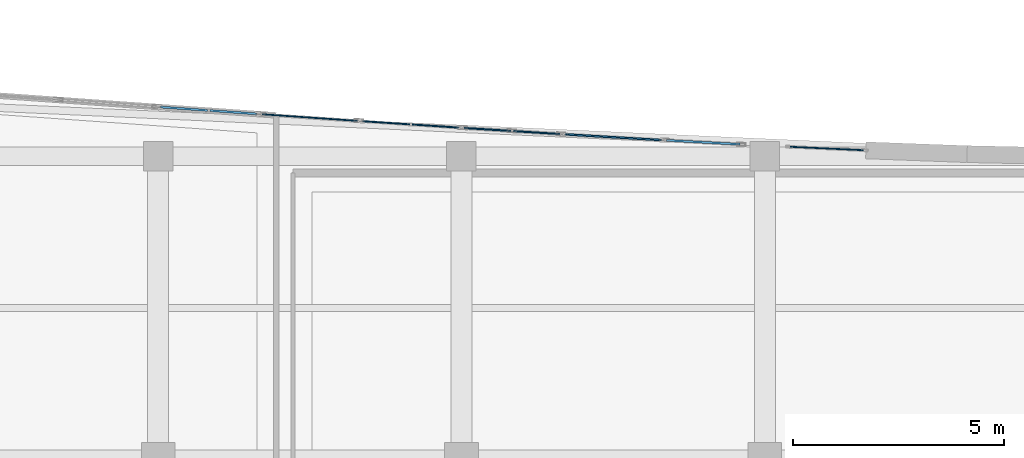
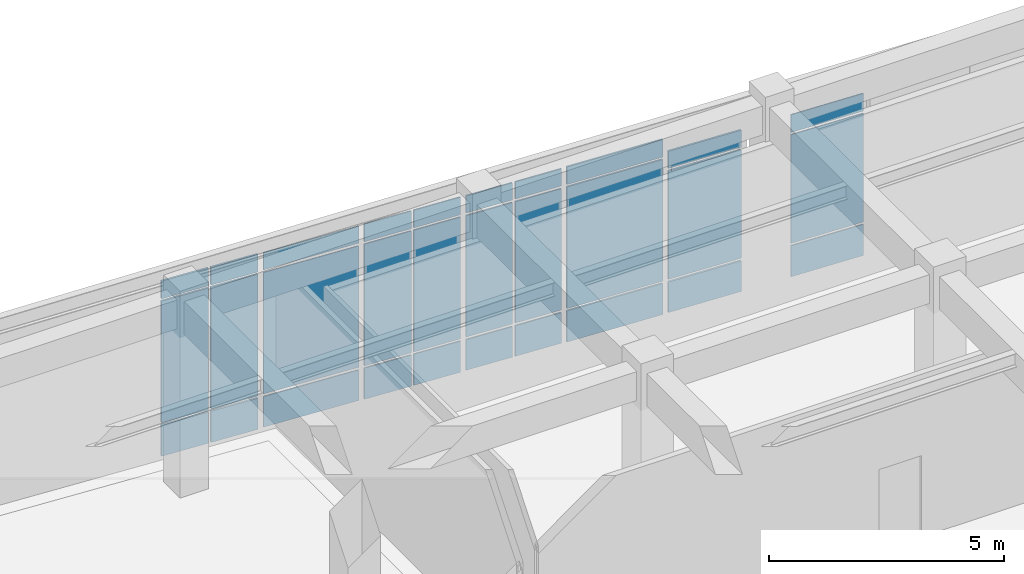
# One storey, part 69 of 102: 30 plates, 7 elements without a shape of their own.
"""IFC4 building model written with IfcOpenShell, lengths in metres."""

from ifc_helpers import new_model, si_unit, direction, frame, origin, origin_2d, place, context, subcontext, project, spatial, rectangle, extrude, material, layer, layer_set, type_object, element, aggregate, save


model = new_model("IFC4")

# Units and contexts
model_context = context("Model", 3, precision=1e-05, world=origin(), true_north=direction((0.0, 1.0)))
body_context = subcontext(model_context, "Body", "Model", "MODEL_VIEW")
ifc_project = project(units=[si_unit("LENGTHUNIT", "METRE"), si_unit("AREAUNIT", "SQUARE_METRE"), si_unit("VOLUMEUNIT", "CUBIC_METRE"), si_unit("PLANEANGLEUNIT", "RADIAN"), si_unit("MASSUNIT", "GRAM", prefix="KILO")], contexts=[model_context])

# Site, building, storey
site_placement = place(None, origin())
site = spatial("IfcSite", under=ifc_project, at=site_placement, CompositionType="ELEMENT")
building_placement = place(site_placement, origin())
building = spatial("IfcBuilding", under=site, at=building_placement, Name="Carrowvane Square Congress Hotel", CompositionType="ELEMENT")
storey_placement = place(building_placement, origin())
storey = spatial("IfcBuildingStorey", under=building, at=storey_placement, Name="L00", CompositionType="ELEMENT", Elevation=0.0)

# Curtain wall, plates
ifc_material_1 = material(Name="Anodised aluminium", Category="aluminium")
ifc_layer_1 = layer(ifc_material_1, 0.221923828125)
ifc_layer_set_1 = layer_set([ifc_layer_1], Name="Anodised aluminium")
curtain_wall_type_1 = type_object("IfcCurtainWallType", Name="CW-SYS-6", PredefinedType="NOTDEFINED", material=ifc_layer_set_1)
curtain_wall_1_placement = place(storey_placement, origin())
curtain_wall_1 = element("IfcCurtainWall", 1, at=curtain_wall_1_placement, inside=storey, type_object=curtain_wall_type_1, Name="L00 unitised curtain wall 45", PredefinedType="NOTDEFINED")
ifc_material_2 = material(Name="Double-glazed low-E glass", Category="glass")
ifc_layer_2 = layer(ifc_material_2, 0.028076171875)
ifc_layer_set_2 = layer_set([ifc_layer_2], Name="Double-glazed low-E glass")
plate_type_1 = type_object("IfcPlateType", Name="CW-PAN-1", PredefinedType="CURTAIN_PANEL", material=ifc_layer_set_2)
plate_1_placement = place(storey_placement, frame((144.800048828125, 114.318359375, 0.070068359375), z_axis=(0.0, 0.0, 1.0), x_axis=(0.997617619706, -0.068986120725, 0.0)))
plate_1 = element("IfcPlate", 2, at=plate_1_placement, type_object=plate_type_1, Name="CW-6 panel 1.1", PredefinedType="CURTAIN_PANEL", context=body_context, shape_type="SweptSolid", body=[
    extrude(rectangle(XDim=2.265625, YDim=0.028076171875, at=origin_2d()), origin(), (0.0, 0.0, 1.0), 0.794921875),
])
plate_2_placement = place(storey_placement, frame((144.800048828125, 114.318359375, 0.93505859375), z_axis=(0.0, 0.0, 1.0), x_axis=(0.997617619706, -0.068986120725, 0.0)))
plate_2 = element("IfcPlate", 3, at=plate_2_placement, type_object=plate_type_1, Name="CW-6 panel 1.2", PredefinedType="CURTAIN_PANEL", context=body_context, shape_type="SweptSolid", body=[
    extrude(rectangle(XDim=2.265625, YDim=0.028076171875, at=origin_2d()), origin(), (0.0, 0.0, 1.0), 3.155517578125),
])
plate_3_placement = place(storey_placement, frame((144.800048828125, 114.318359375, 4.16064453125), z_axis=(0.0, 0.0, 1.0), x_axis=(0.997617619706, -0.068986120725, 0.0)))
plate_3 = element("IfcPlate", 4, at=plate_3_placement, type_object=plate_type_1, Name="CW-6 panel 1.3", PredefinedType="CURTAIN_PANEL", context=body_context, shape_type="SweptSolid", body=[
    extrude(rectangle(XDim=2.265625, YDim=0.028076171875, at=origin_2d()), origin(), (0.0, 0.0, 1.0), 0.445068359375),
])
aggregate(curtain_wall_1, [plate_1, plate_2, plate_3])

ifc_material_3 = material(Name="Anodised aluminium", Category="aluminium")
ifc_layer_3 = layer(ifc_material_3, 0.18603515625)
ifc_layer_set_3 = layer_set([ifc_layer_3], Name="Anodised aluminium")
curtain_wall_type_2 = type_object("IfcCurtainWallType", Name="CW-SYS-3", PredefinedType="NOTDEFINED", material=ifc_layer_set_3)
curtain_wall_2_placement = place(storey_placement, origin())
curtain_wall_2 = element("IfcCurtainWall", 5, at=curtain_wall_2_placement, inside=storey, type_object=curtain_wall_type_2, Name="L00 unitised curtain wall 50", PredefinedType="NOTDEFINED")
plate_4_placement = place(storey_placement, frame((157.072265625, 113.584228515625, 0.06005859375), z_axis=(0.0, 0.0, 1.0), x_axis=(0.998917498926, -0.04651698979, 0.0)))
plate_4 = element("IfcPlate", 6, at=plate_4_placement, type_object=plate_type_1, Name="CW-3 panel 1.1", PredefinedType="CURTAIN_PANEL", context=body_context, shape_type="SweptSolid", body=[
    extrude(rectangle(XDim=1.737548828125, YDim=0.028076171875, at=origin_2d()), origin(), (0.0, 0.0, 1.0), 0.81005859375),
])
plate_5_placement = place(storey_placement, frame((157.072265625, 113.584228515625, 0.93017578125), z_axis=(0.0, 0.0, 1.0), x_axis=(0.998917498926, -0.04651698979, 0.0)))
plate_5 = element("IfcPlate", 7, at=plate_5_placement, type_object=plate_type_1, Name="CW-3 panel 1.2", PredefinedType="CURTAIN_PANEL", context=body_context, shape_type="SweptSolid", body=[
    extrude(rectangle(XDim=1.737548828125, YDim=0.028076171875, at=origin_2d()), origin(), (0.0, 0.0, 1.0), 2.824951171875),
])
plate_6_placement = place(storey_placement, frame((157.072265625, 113.584228515625, 3.81494140625), z_axis=(0.0, 0.0, 1.0), x_axis=(0.998917498926, -0.04651698979, 0.0)))
plate_6 = element("IfcPlate", 8, at=plate_6_placement, type_object=plate_type_1, Name="CW-3 panel 1.3", PredefinedType="CURTAIN_PANEL", context=body_context, shape_type="SweptSolid", body=[
    extrude(rectangle(XDim=1.737548828125, YDim=0.028076171875, at=origin_2d()), origin(), (0.0, 0.0, 1.0), 0.4599609375),
])
aggregate(curtain_wall_2, [plate_4, plate_5, plate_6])

ifc_material_4 = material(Name="Anodised aluminium", Category="aluminium")
ifc_layer_4 = layer(ifc_material_4, 0.23388671875)
ifc_layer_set_4 = layer_set([ifc_layer_4], Name="Anodised aluminium")
curtain_wall_type_3 = type_object("IfcCurtainWallType", Name="CW-SYS-7", PredefinedType="NOTDEFINED", material=ifc_layer_set_4)
curtain_wall_3_placement = place(storey_placement, origin())
curtain_wall_3 = element("IfcCurtainWall", 9, at=curtain_wall_3_placement, inside=storey, type_object=curtain_wall_type_3, Name="L00 unitised curtain wall 46", PredefinedType="NOTDEFINED")
ifc_material_5 = material(Name="Double-glazed low-E glass", Category="glass")
ifc_layer_5 = layer(ifc_material_5, 0.031982421875)
ifc_layer_set_5 = layer_set([ifc_layer_5], Name="Double-glazed low-E glass")
plate_type_2 = type_object("IfcPlateType", Name="CW-PAN-2", PredefinedType="CURTAIN_PANEL", material=ifc_layer_set_5)
plate_7_placement = place(storey_placement, frame((146.614990234375, 114.1943359375, 0.06005859375), z_axis=(0.0, 0.0, 1.0), x_axis=(0.997781495544, -0.06657392244, 0.0)))
plate_7 = element("IfcPlate", 10, at=plate_7_placement, type_object=plate_type_2, Name="CW-7 panel 1.1", PredefinedType="CURTAIN_PANEL", context=body_context, shape_type="SweptSolid", body=[
    extrude(rectangle(XDim=1.112548828125, YDim=0.031982421875, at=origin_2d()), origin(), (0.0, 0.0, 1.0), 0.81005859375),
])
plate_8_placement = place(storey_placement, frame((146.614990234375, 114.1943359375, 0.929931640625), z_axis=(0.0, 0.0, 1.0), x_axis=(0.997781495544, -0.06657392244, 0.0)))
plate_8 = element("IfcPlate", 11, at=plate_8_placement, type_object=plate_type_2, Name="CW-7 panel 1.2", PredefinedType="CURTAIN_PANEL", context=body_context, shape_type="SweptSolid", body=[
    extrude(rectangle(XDim=1.112548828125, YDim=0.031982421875, at=origin_2d()), origin(), (0.0, 0.0, 1.0), 3.16552734375),
])
plate_9_placement = place(storey_placement, frame((146.614990234375, 114.1943359375, 4.155517578125), z_axis=(0.0, 0.0, 1.0), x_axis=(0.997781495544, -0.06657392244, 0.0)))
plate_9 = element("IfcPlate", 12, at=plate_9_placement, type_object=plate_type_2, Name="CW-7 panel 1.3", PredefinedType="CURTAIN_PANEL", context=body_context, shape_type="SweptSolid", body=[
    extrude(rectangle(XDim=1.112548828125, YDim=0.031982421875, at=origin_2d()), origin(), (0.0, 0.0, 1.0), 0.4599609375),
])
plate_10_placement = place(storey_placement, frame((147.784912109375, 114.116455078125, 0.06005859375), z_axis=(0.0, 0.0, 1.0), x_axis=(0.997781495544, -0.06657392244, 0.0)))
plate_10 = element("IfcPlate", 13, at=plate_10_placement, type_object=plate_type_2, Name="CW-7 panel 2.1", PredefinedType="CURTAIN_PANEL", context=body_context, shape_type="SweptSolid", body=[
    extrude(rectangle(XDim=1.112548828125, YDim=0.031982421875, at=origin_2d()), origin(), (0.0, 0.0, 1.0), 0.81005859375),
])
plate_11_placement = place(storey_placement, frame((147.784912109375, 114.116455078125, 0.929931640625), z_axis=(0.0, 0.0, 1.0), x_axis=(0.997781495544, -0.06657392244, 0.0)))
plate_11 = element("IfcPlate", 14, at=plate_11_placement, type_object=plate_type_2, Name="CW-7 panel 2.2", PredefinedType="CURTAIN_PANEL", context=body_context, shape_type="SweptSolid", body=[
    extrude(rectangle(XDim=1.112548828125, YDim=0.031982421875, at=origin_2d()), origin(), (0.0, 0.0, 1.0), 3.16552734375),
])
plate_12_placement = place(storey_placement, frame((147.784912109375, 114.116455078125, 4.155517578125), z_axis=(0.0, 0.0, 1.0), x_axis=(0.997781495544, -0.06657392244, 0.0)))
plate_12 = element("IfcPlate", 15, at=plate_12_placement, type_object=plate_type_2, Name="CW-7 panel 2.3", PredefinedType="CURTAIN_PANEL", context=body_context, shape_type="SweptSolid", body=[
    extrude(rectangle(XDim=1.112548828125, YDim=0.031982421875, at=origin_2d()), origin(), (0.0, 0.0, 1.0), 0.4599609375),
])
aggregate(curtain_wall_3, [plate_7, plate_8, plate_9, plate_10, plate_11, plate_12])

ifc_material_6 = material(Name="Anodised aluminium", Category="aluminium")
ifc_layer_6 = layer(ifc_material_6, 0.24609375)
ifc_layer_set_6 = layer_set([ifc_layer_6], Name="Anodised aluminium")
curtain_wall_type_4 = type_object("IfcCurtainWallType", Name="CW-SYS-8", PredefinedType="NOTDEFINED", material=ifc_layer_set_6)
curtain_wall_4_placement = place(storey_placement, origin())
curtain_wall_4 = element("IfcCurtainWall", 16, at=curtain_wall_4_placement, inside=storey, type_object=curtain_wall_type_4, Name="L00 unitised curtain wall 47", PredefinedType="NOTDEFINED")
ifc_material_7 = material(Name="Double-glazed low-E glass", Category="glass")
ifc_layer_7 = layer(ifc_material_7, 0.035888671875)
ifc_layer_set_7 = layer_set([ifc_layer_7], Name="Double-glazed low-E glass")
plate_type_3 = type_object("IfcPlateType", Name="CW-PAN-3", PredefinedType="CURTAIN_PANEL", material=ifc_layer_set_7)
plate_13_placement = place(storey_placement, frame((149.017578125, 114.0361328125, 0.070068359375), z_axis=(0.0, 0.0, 1.0), x_axis=(0.997996225303, -0.063273487972, 0.0)))
plate_13 = element("IfcPlate", 17, at=plate_13_placement, type_object=plate_type_3, Name="CW-8 panel 1.1", PredefinedType="CURTAIN_PANEL", context=body_context, shape_type="SweptSolid", body=[
    extrude(rectangle(XDim=1.097412109375, YDim=0.035888671875, at=origin_2d()), origin(), (0.0, 0.0, 1.0), 0.794921875),
])
plate_14_placement = place(storey_placement, frame((149.017578125, 114.0361328125, 0.93505859375), z_axis=(0.0, 0.0, 1.0), x_axis=(0.997996225303, -0.063273487972, 0.0)))
plate_14 = element("IfcPlate", 18, at=plate_14_placement, type_object=plate_type_3, Name="CW-8 panel 1.2", PredefinedType="CURTAIN_PANEL", context=body_context, shape_type="SweptSolid", body=[
    extrude(rectangle(XDim=1.097412109375, YDim=0.035888671875, at=origin_2d()), origin(), (0.0, 0.0, 1.0), 3.155517578125),
])
plate_15_placement = place(storey_placement, frame((149.017578125, 114.0361328125, 4.16064453125), z_axis=(0.0, 0.0, 1.0), x_axis=(0.997996225303, -0.063273487972, 0.0)))
plate_15 = element("IfcPlate", 19, at=plate_15_placement, type_object=plate_type_3, Name="CW-8 panel 1.3", PredefinedType="CURTAIN_PANEL", context=body_context, shape_type="SweptSolid", body=[
    extrude(rectangle(XDim=1.097412109375, YDim=0.035888671875, at=origin_2d()), origin(), (0.0, 0.0, 1.0), 0.445068359375),
])
plate_16_placement = place(storey_placement, frame((150.1826171875, 113.96240234375, 0.070068359375), z_axis=(0.0, 0.0, 1.0), x_axis=(0.997996225303, -0.063273487972, 0.0)))
plate_16 = element("IfcPlate", 20, at=plate_16_placement, type_object=plate_type_3, Name="CW-8 panel 2.1", PredefinedType="CURTAIN_PANEL", context=body_context, shape_type="SweptSolid", body=[
    extrude(rectangle(XDim=1.097412109375, YDim=0.035888671875, at=origin_2d()), origin(), (0.0, 0.0, 1.0), 0.794921875),
])
plate_17_placement = place(storey_placement, frame((150.1826171875, 113.96240234375, 0.93505859375), z_axis=(0.0, 0.0, 1.0), x_axis=(0.997996225303, -0.063273487972, 0.0)))
plate_17 = element("IfcPlate", 21, at=plate_17_placement, type_object=plate_type_3, Name="CW-8 panel 2.2", PredefinedType="CURTAIN_PANEL", context=body_context, shape_type="SweptSolid", body=[
    extrude(rectangle(XDim=1.097412109375, YDim=0.035888671875, at=origin_2d()), origin(), (0.0, 0.0, 1.0), 3.155517578125),
])
plate_18_placement = place(storey_placement, frame((150.1826171875, 113.96240234375, 4.16064453125), z_axis=(0.0, 0.0, 1.0), x_axis=(0.997996225303, -0.063273487972, 0.0)))
plate_18 = element("IfcPlate", 22, at=plate_18_placement, type_object=plate_type_3, Name="CW-8 panel 2.3", PredefinedType="CURTAIN_PANEL", context=body_context, shape_type="SweptSolid", body=[
    extrude(rectangle(XDim=1.097412109375, YDim=0.035888671875, at=origin_2d()), origin(), (0.0, 0.0, 1.0), 0.445068359375),
])
aggregate(curtain_wall_4, [plate_13, plate_14, plate_15, plate_16, plate_17, plate_18])

ifc_material_8 = material(Name="Anodised aluminium", Category="aluminium")
ifc_layer_8 = layer(ifc_material_8, 0.162109375)
ifc_layer_set_8 = layer_set([ifc_layer_8], Name="Anodised aluminium")
curtain_wall_type_5 = type_object("IfcCurtainWallType", Name="CW-SYS-1", PredefinedType="NOTDEFINED", material=ifc_layer_set_8)
curtain_wall_5_placement = place(storey_placement, origin())
curtain_wall_5 = element("IfcCurtainWall", 23, at=curtain_wall_5_placement, inside=storey, type_object=curtain_wall_type_5, Name="L00 unitised curtain wall 48", PredefinedType="NOTDEFINED")
ifc_material_9 = material(Name="Double-glazed low-E glass", Category="glass")
ifc_layer_9 = layer(ifc_material_9, 0.0419921875)
ifc_layer_set_9 = layer_set([ifc_layer_9], Name="Double-glazed low-E glass")
plate_type_4 = type_object("IfcPlateType", Name="CW-PAN-4", PredefinedType="CURTAIN_PANEL", material=ifc_layer_set_9)
plate_19_placement = place(storey_placement, frame((152.0, 113.852294921875, 0.06005859375), z_axis=(0.0, 0.0, 1.0), x_axis=(0.99825866099, -0.058988522254, 0.0)))
plate_19 = element("IfcPlate", 24, at=plate_19_placement, type_object=plate_type_4, Name="CW-1 panel 1.1", PredefinedType="CURTAIN_PANEL", context=body_context, shape_type="SweptSolid", body=[
    extrude(rectangle(XDim=2.2841796875, YDim=0.0419921875, at=origin_2d()), origin(), (0.0, 0.0, 1.0), 0.81005859375),
])
plate_20_placement = place(storey_placement, frame((152.0, 113.852294921875, 0.929931640625), z_axis=(0.0, 0.0, 1.0), x_axis=(0.99825866099, -0.058988522254, 0.0)))
plate_20 = element("IfcPlate", 25, at=plate_20_placement, type_object=plate_type_4, Name="CW-1 panel 1.2", PredefinedType="CURTAIN_PANEL", context=body_context, shape_type="SweptSolid", body=[
    extrude(rectangle(XDim=2.2841796875, YDim=0.0419921875, at=origin_2d()), origin(), (0.0, 0.0, 1.0), 3.16552734375),
])
plate_21_placement = place(storey_placement, frame((152.0, 113.852294921875, 4.155517578125), z_axis=(0.0, 0.0, 1.0), x_axis=(0.99825866099, -0.058988522254, 0.0)))
plate_21 = element("IfcPlate", 26, at=plate_21_placement, type_object=plate_type_4, Name="CW-1 panel 1.3", PredefinedType="CURTAIN_PANEL", context=body_context, shape_type="SweptSolid", body=[
    extrude(rectangle(XDim=2.2841796875, YDim=0.0419921875, at=origin_2d()), origin(), (0.0, 0.0, 1.0), 0.4599609375),
])
aggregate(curtain_wall_5, [plate_19, plate_20, plate_21])

ifc_material_10 = material(Name="Anodised aluminium", Category="aluminium")
ifc_layer_10 = layer(ifc_material_10, 0.2099609375)
ifc_layer_set_10 = layer_set([ifc_layer_10], Name="Anodised aluminium")
curtain_wall_type_6 = type_object("IfcCurtainWallType", Name="CW-SYS-5", PredefinedType="NOTDEFINED", material=ifc_layer_set_10)
curtain_wall_6_placement = place(storey_placement, origin())
curtain_wall_6 = element("IfcCurtainWall", 27, at=curtain_wall_6_placement, inside=storey, type_object=curtain_wall_type_6, Name="L00 unitised curtain wall 44", PredefinedType="NOTDEFINED")
ifc_material_11 = material(Name="Double-glazed low-E glass", Category="glass")
ifc_layer_11 = layer(ifc_material_11, 0.048095703125)
ifc_layer_set_11 = layer_set([ifc_layer_11], Name="Double-glazed low-E glass")
plate_type_5 = type_object("IfcPlateType", Name="CW-PAN-5", PredefinedType="CURTAIN_PANEL", material=ifc_layer_set_11)
plate_22_placement = place(storey_placement, frame((141.81494140625, 114.52783203125, 0.06005859375), z_axis=(0.0, 0.0, 1.0), x_axis=(0.997505697746, -0.070585996942, 0.0)))
plate_22 = element("IfcPlate", 28, at=plate_22_placement, type_object=plate_type_5, Name="CW-5 panel 1.1", PredefinedType="CURTAIN_PANEL", context=body_context, shape_type="SweptSolid", body=[
    extrude(rectangle(XDim=1.113037109375, YDim=0.048095703125, at=origin_2d()), origin(), (0.0, 0.0, 1.0), 0.81005859375),
])
plate_23_placement = place(storey_placement, frame((141.81494140625, 114.52783203125, 0.929931640625), z_axis=(0.0, 0.0, 1.0), x_axis=(0.997505697746, -0.070585996942, 0.0)))
plate_23 = element("IfcPlate", 29, at=plate_23_placement, type_object=plate_type_5, Name="CW-5 panel 1.2", PredefinedType="CURTAIN_PANEL", context=body_context, shape_type="SweptSolid", body=[
    extrude(rectangle(XDim=1.113037109375, YDim=0.048095703125, at=origin_2d()), origin(), (0.0, 0.0, 1.0), 3.16552734375),
])
plate_24_placement = place(storey_placement, frame((141.81494140625, 114.52783203125, 4.155517578125), z_axis=(0.0, 0.0, 1.0), x_axis=(0.997505697746, -0.070585996942, 0.0)))
plate_24 = element("IfcPlate", 30, at=plate_24_placement, type_object=plate_type_5, Name="CW-5 panel 1.3", PredefinedType="CURTAIN_PANEL", context=body_context, shape_type="SweptSolid", body=[
    extrude(rectangle(XDim=1.113037109375, YDim=0.048095703125, at=origin_2d()), origin(), (0.0, 0.0, 1.0), 0.4599609375),
])
plate_25_placement = place(storey_placement, frame((142.985107421875, 114.445068359375, 0.06005859375), z_axis=(0.0, 0.0, 1.0), x_axis=(0.997505697746, -0.070585996942, 0.0)))
plate_25 = element("IfcPlate", 31, at=plate_25_placement, type_object=plate_type_5, Name="CW-5 panel 2.1", PredefinedType="CURTAIN_PANEL", context=body_context, shape_type="SweptSolid", body=[
    extrude(rectangle(XDim=1.113037109375, YDim=0.048095703125, at=origin_2d()), origin(), (0.0, 0.0, 1.0), 0.81005859375),
])
plate_26_placement = place(storey_placement, frame((142.985107421875, 114.445068359375, 0.929931640625), z_axis=(0.0, 0.0, 1.0), x_axis=(0.997505697746, -0.070585996942, 0.0)))
plate_26 = element("IfcPlate", 32, at=plate_26_placement, type_object=plate_type_5, Name="CW-5 panel 2.2", PredefinedType="CURTAIN_PANEL", context=body_context, shape_type="SweptSolid", body=[
    extrude(rectangle(XDim=1.113037109375, YDim=0.048095703125, at=origin_2d()), origin(), (0.0, 0.0, 1.0), 3.16552734375),
])
plate_27_placement = place(storey_placement, frame((142.985107421875, 114.445068359375, 4.155517578125), z_axis=(0.0, 0.0, 1.0), x_axis=(0.997505697746, -0.070585996942, 0.0)))
plate_27 = element("IfcPlate", 33, at=plate_27_placement, type_object=plate_type_5, Name="CW-5 panel 2.3", PredefinedType="CURTAIN_PANEL", context=body_context, shape_type="SweptSolid", body=[
    extrude(rectangle(XDim=1.113037109375, YDim=0.048095703125, at=origin_2d()), origin(), (0.0, 0.0, 1.0), 0.4599609375),
])
aggregate(curtain_wall_6, [plate_22, plate_23, plate_24, plate_25, plate_26, plate_27])

ifc_material_12 = material(Name="Anodised aluminium", Category="aluminium")
ifc_layer_12 = layer(ifc_material_12, 0.174072265625)
ifc_layer_set_12 = layer_set([ifc_layer_12], Name="Anodised aluminium")
curtain_wall_type_7 = type_object("IfcCurtainWallType", Name="CW-SYS-2", PredefinedType="NOTDEFINED", material=ifc_layer_set_12)
curtain_wall_7_placement = place(storey_placement, origin())
curtain_wall_7 = element("IfcCurtainWall", 34, at=curtain_wall_7_placement, inside=storey, type_object=curtain_wall_type_7, Name="L00 unitised curtain wall 49", PredefinedType="NOTDEFINED")
plate_28_placement = place(storey_placement, frame((154.140380859375, 113.73095703125, 0.070068359375), z_axis=(0.0, 0.0, 1.0), x_axis=(0.99856693693, -0.053517029722, 0.0)))
plate_28 = element("IfcPlate", 35, at=plate_28_placement, type_object=plate_type_5, Name="CW-2 panel 1.1", PredefinedType="CURTAIN_PANEL", context=body_context, shape_type="SweptSolid", body=[
    extrude(rectangle(XDim=1.74365234375, YDim=0.048095703125, at=origin_2d()), origin(), (0.0, 0.0, 1.0), 0.794921875),
])
plate_29_placement = place(storey_placement, frame((154.140380859375, 113.73095703125, 0.93505859375), z_axis=(0.0, 0.0, 1.0), x_axis=(0.99856693693, -0.053517029722, 0.0)))
plate_29 = element("IfcPlate", 36, at=plate_29_placement, type_object=plate_type_5, Name="CW-2 panel 1.2", PredefinedType="CURTAIN_PANEL", context=body_context, shape_type="SweptSolid", body=[
    extrude(rectangle(XDim=1.74365234375, YDim=0.048095703125, at=origin_2d()), origin(), (0.0, 0.0, 1.0), 2.81494140625),
])
plate_30_placement = place(storey_placement, frame((154.140380859375, 113.73095703125, 3.81982421875), z_axis=(0.0, 0.0, 1.0), x_axis=(0.99856693693, -0.053517029722, 0.0)))
plate_30 = element("IfcPlate", 37, at=plate_30_placement, type_object=plate_type_5, Name="CW-2 panel 1.3", PredefinedType="CURTAIN_PANEL", context=body_context, shape_type="SweptSolid", body=[
    extrude(rectangle(XDim=1.74365234375, YDim=0.048095703125, at=origin_2d()), origin(), (0.0, 0.0, 1.0), 0.445068359375),
])
aggregate(curtain_wall_7, [plate_28, plate_29, plate_30])

save(model, "model.ifc")
